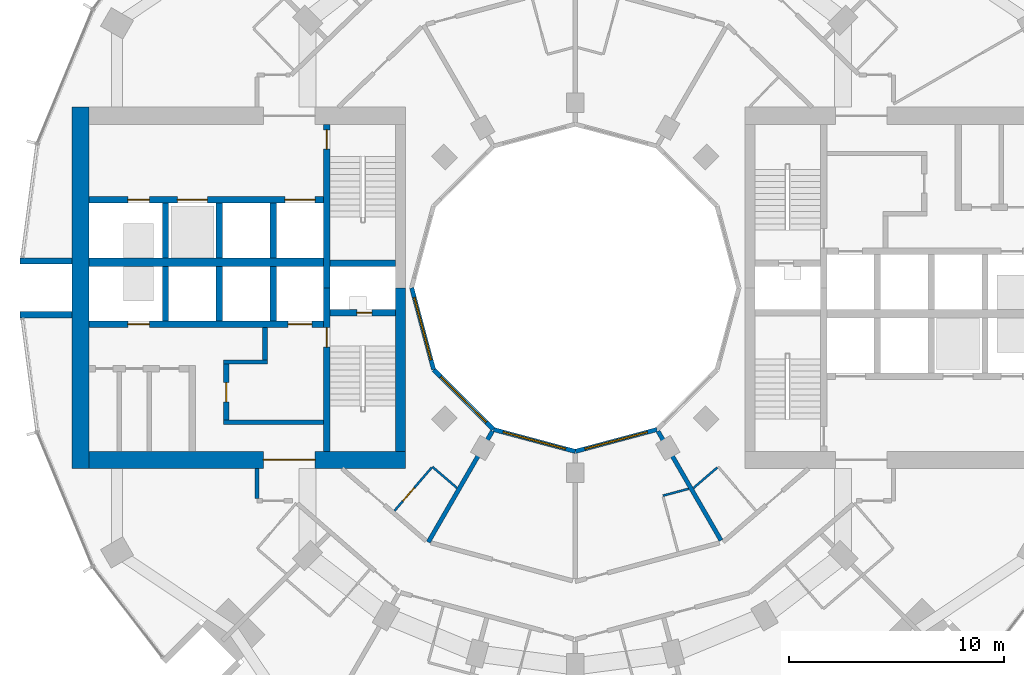
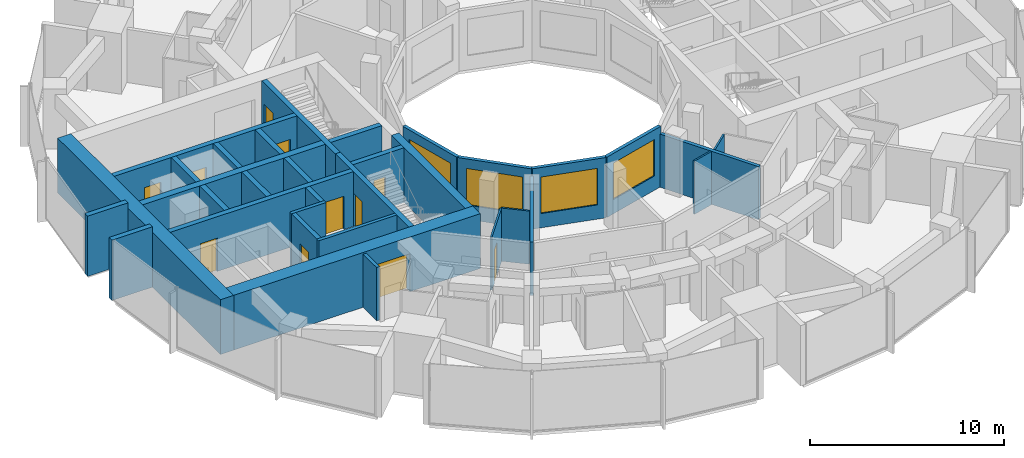
# One storey, part 9 of 15: 33 walls, 11 doors, 4 windows, 15 openings.
"""IFC4 building model written with IfcOpenShell, lengths in metres."""

from ifc_helpers import new_model, si_unit, direction, frame, frame_2d, origin, place, context, subcontext, project, spatial, rectangle, extrude, material, layer, layer_set, type_object, element, fill, save


model = new_model("IFC4")

# Units and contexts
model_context = context("Model", 3, precision=1e-05, world=origin(), true_north=direction((0.0, 1.0)))
body_context = subcontext(model_context, "Body", "Model", "MODEL_VIEW")
ifc_project = project(units=[si_unit("LENGTHUNIT", "METRE"), si_unit("AREAUNIT", "SQUARE_METRE"), si_unit("VOLUMEUNIT", "CUBIC_METRE"), si_unit("PLANEANGLEUNIT", "RADIAN"), si_unit("MASSUNIT", "GRAM", prefix="KILO")], contexts=[model_context])

# Site, building, storey
site_placement = place(None, origin())
site = spatial("IfcSite", under=ifc_project, at=site_placement, CompositionType="ELEMENT")
building_placement = place(site_placement, origin())
building = spatial("IfcBuilding", under=site, at=building_placement, Name="Torre Brocal", CompositionType="ELEMENT")
storey_placement = place(building_placement, frame((0.0, 0.0, 105.199951171875)))
storey = spatial("IfcBuildingStorey", under=building, at=storey_placement, Name="L24", CompositionType="ELEMENT", Elevation=105.199951171875)

# Walls
ifc_material_1 = material(Name="Concrete C80", Category="concrete")
ifc_layer_1 = layer(ifc_material_1, 0.199951171875)
ifc_layer_set_1 = layer_set([ifc_layer_1], Name="Concrete C80")
wall_type_1 = type_object("IfcWallType", Name="CORE WALL 200 C80 UNDER 350 SLAB", PredefinedType="SHEAR", material=ifc_layer_set_1)
wall_1_placement = place(storey_placement, frame((68.300048828125, 68.75, 0.0), z_axis=(0.0, 0.0, 1.0), x_axis=(-1.0, 0.0, 0.0)))
element("IfcWall", 1, at=wall_1_placement, inside=storey, type_object=wall_type_1, Name="Wall CW200-80-S350", PredefinedType="SHEAR", context=body_context, shape_type="SweptSolid", body=[
    extrude(rectangle(XDim=4.650146484375, YDim=0.199951171875, at=frame_2d((2.3251953125, 0.0))), origin(), (0.0, 0.0, 1.0), 3.449951171875),
])
wall_2_placement = place(storey_placement, frame((65.699951171875, 71.550048828125, 0.0), z_axis=(0.0, 0.0, 1.0), x_axis=(-1.0, 0.0, 0.0)))
element("IfcWall", 2, at=wall_2_placement, inside=storey, type_object=wall_type_1, Name="Wall CW200-80-S350", PredefinedType="SHEAR", context=body_context, shape_type="SweptSolid", body=[
    extrude(rectangle(XDim=2.050048828125, YDim=0.199951171875, at=frame_2d((1.02490234375, 0.0))), origin(), (0.0, 0.0, 1.0), 3.449951171875),
])

# Wall, opening, door
ifc_material_2 = material(Name="Concrete C80", Category="concrete")
ifc_layer_2 = layer(ifc_material_2, 0.25)
ifc_layer_set_2 = layer_set([ifc_layer_2], Name="Concrete C80")
wall_type_2 = type_object("IfcWallType", Name="CORE WALL 250 C80 UNDER 350 SLAB", PredefinedType="SHEAR", material=ifc_layer_set_2)
wall_3_placement = place(storey_placement, frame((63.77490234375, 71.449951171875, 0.0), z_axis=(0.0, 0.0, 1.0), x_axis=(0.0, -1.0, 0.0)))
wall_3 = element("IfcWall", 3, at=wall_3_placement, inside=storey, type_object=wall_type_2, Name="Wall CW250-80-S350", PredefinedType="SHEAR", context=body_context, shape_type="SweptSolid", body=[
    extrude(rectangle(XDim=2.599853515625, YDim=0.25, at=frame_2d((1.2998046875, 0.0))), origin(), (0.0, 0.0, 1.0), 3.449951171875),
])
opening_1_placement = place(wall_3_placement, frame((0.85009765625, 0.0, 0.0)))
opening_1 = element("IfcOpeningElement", 4, at=opening_1_placement, cuts=wall_3, Name="Opening W-D15", PredefinedType="OPENING", context=body_context, shape_type="SweptSolid", body=[
    extrude(rectangle(XDim=0.89990234375, YDim=2.10009765625, at=frame_2d((0.449951171875, 1.050048828125))), frame((0.0, 0.135009765625, 0.0), z_axis=(0.0, -1.0, 0.0), x_axis=(1.0, 0.0, 0.0)), (0.0, 0.0, 1.0), 0.27001953125),
])
ifc_material_3 = material(Name="Steel A653", Category="steel")
door_type_1 = type_object("IfcDoorType", Name="LOBBY DOOR FD120 900X2100", OperationType="SINGLE_SWING_RIGHT", PredefinedType="DOOR", material=ifc_material_3)
door_1_placement = place(opening_1_placement, origin())
door_1 = element("IfcDoor", 5, at=door_1_placement, inside=storey, type_object=door_type_1, Name="Door W-D15", OperationType="SINGLE_SWING_LEFT", OverallHeight=2.10009765625, OverallWidth=0.89990234375, PredefinedType="DOOR", context=body_context, shape_type="SweptSolid", body=[
    extrude(rectangle(XDim=0.89990234375, YDim=2.10009765625, at=frame_2d((0.449951171875, 1.050048828125))), frame((0.0, 0.02490234375, 0.0), z_axis=(0.0, -1.0, 0.0), x_axis=(1.0, 0.0, 0.0)), (0.0, 0.0, 1.0), 0.050048828125),
])
fill(opening_1, door_1)

# Wall
wall_4_placement = place(storey_placement, frame((65.574951171875, 73.14990234375, 0.0), z_axis=(0.0, 0.0, 1.0), x_axis=(0.0, -1.0, 0.0)))
element("IfcWall", 6, at=wall_4_placement, inside=storey, type_object=wall_type_2, Name="Wall CW250-80-S350", PredefinedType="SHEAR", context=body_context, shape_type="SweptSolid", body=[
    extrude(rectangle(XDim=1.5, YDim=0.25, at=frame_2d((0.75, 0.0))), origin(), (0.0, 0.0, 1.0), 3.449951171875),
])

# Wall, opening, door
ifc_material_4 = material(Name="Concrete C80", Category="concrete")
ifc_layer_3 = layer(ifc_material_4, 0.300048828125)
ifc_layer_set_3 = layer_set([ifc_layer_3], Name="Concrete C80")
wall_type_3 = type_object("IfcWallType", Name="CORE WALL 300 C80 UNDER 350 SLAB", PredefinedType="SHEAR", material=ifc_layer_set_3)
wall_5_placement = place(storey_placement, frame((68.449951171875, 75.0, 0.0), z_axis=(0.0, 0.0, 1.0), x_axis=(0.0, -1.0, 0.0)))
wall_5 = element("IfcWall", 7, at=wall_5_placement, inside=storey, type_object=wall_type_3, Name="Wall CW300-80-S350", PredefinedType="SHEAR", context=body_context, shape_type="SweptSolid", body=[
    extrude(rectangle(XDim=7.60009765625, YDim=0.300048828125, at=frame_2d((3.800048828125, 0.0))), origin(), (0.0, 0.0, 1.0), 3.449951171875),
])
opening_2_placement = place(wall_5_placement, frame((1.85009765625, 0.0, 0.0)))
opening_2 = element("IfcOpeningElement", 8, at=opening_2_placement, cuts=wall_5, Name="Opening W-D02", PredefinedType="OPENING", context=body_context, shape_type="SweptSolid", body=[
    extrude(rectangle(XDim=0.89990234375, YDim=2.10009765625, at=frame_2d((0.449951171875, 1.050048828125))), frame((0.0, 0.159912109375, 0.0), z_axis=(0.0, -1.0, 0.0), x_axis=(1.0, 0.0, 0.0)), (0.0, 0.0, 1.0), 0.320068359375),
])
ifc_material_5 = material(Name="Steel A653", Category="steel")
door_type_2 = type_object("IfcDoorType", Name="STAIR DOOR FD120 900X2100", OperationType="SINGLE_SWING_RIGHT", PredefinedType="DOOR", material=ifc_material_5)
door_2_placement = place(opening_2_placement, origin())
door_2 = element("IfcDoor", 9, at=door_2_placement, inside=storey, type_object=door_type_2, Name="Door W-D02", OperationType="SINGLE_SWING_LEFT", OverallHeight=2.10009765625, OverallWidth=0.89990234375, PredefinedType="DOOR", context=body_context, shape_type="SweptSolid", body=[
    extrude(rectangle(XDim=0.89990234375, YDim=2.10009765625, at=frame_2d((0.449951171875, 1.050048828125))), frame((0.0, 0.02490234375, 0.0), z_axis=(0.0, -1.0, 0.0), x_axis=(1.0, 0.0, 0.0)), (0.0, 0.0, 1.0), 0.050048828125),
])
fill(opening_2, door_2)

wall_6_placement = place(storey_placement, frame((68.449951171875, 82.60009765625, 0.0), z_axis=(0.0, 0.0, 1.0), x_axis=(0.0, -1.0, 0.0)))
wall_6 = element("IfcWall", 10, at=wall_6_placement, inside=storey, type_object=wall_type_3, Name="Wall CW300-80-S350", PredefinedType="SHEAR", context=body_context, shape_type="SweptSolid", body=[
    extrude(rectangle(XDim=7.60009765625, YDim=0.300048828125, at=frame_2d((3.800048828125, 0.0))), origin(), (0.0, 0.0, 1.0), 3.449951171875),
])
opening_3_placement = place(wall_6_placement, frame((0.25, 0.0, 0.0)))
opening_3 = element("IfcOpeningElement", 11, at=opening_3_placement, cuts=wall_6, Name="Opening W-D03", PredefinedType="OPENING", context=body_context, shape_type="SweptSolid", body=[
    extrude(rectangle(XDim=0.89990234375, YDim=2.10009765625, at=frame_2d((0.449951171875, 1.050048828125))), frame((0.0, 0.159912109375, 0.0), z_axis=(0.0, -1.0, 0.0), x_axis=(1.0, 0.0, 0.0)), (0.0, 0.0, 1.0), 0.320068359375),
])
door_3_placement = place(opening_3_placement, origin())
door_3 = element("IfcDoor", 12, at=door_3_placement, inside=storey, type_object=door_type_2, Name="Door W-D03", OperationType="SINGLE_SWING_LEFT", OverallHeight=2.10009765625, OverallWidth=0.89990234375, PredefinedType="DOOR", context=body_context, shape_type="SweptSolid", body=[
    extrude(rectangle(XDim=0.89990234375, YDim=2.10009765625, at=frame_2d((0.449951171875, 1.050048828125))), frame((0.0, 0.02490234375, 0.0), z_axis=(0.0, -1.0, 0.0), x_axis=(1.0, 0.0, 0.0)), (0.0, 0.0, 1.0), 0.050048828125),
])
fill(opening_3, door_3)

wall_7_placement = place(storey_placement, frame((71.64990234375, 73.85009765625, 0.0), z_axis=(0.0, 0.0, 1.0), x_axis=(-1.0, 0.0, 0.0)))
wall_7 = element("IfcWall", 13, at=wall_7_placement, inside=storey, type_object=wall_type_3, Name="Wall CW300-80-S350", PredefinedType="SHEAR", context=body_context, shape_type="SweptSolid", body=[
    extrude(rectangle(XDim=3.0498046875, YDim=0.300048828125, at=frame_2d((1.52490234375, 0.0))), origin(), (0.0, 0.0, 1.0), 3.449951171875),
])
opening_4_placement = place(wall_7_placement, frame((1.10009765625, 0.0, 0.0)))
opening_4 = element("IfcOpeningElement", 14, at=opening_4_placement, cuts=wall_7, Name="Opening W-D01", PredefinedType="OPENING", context=body_context, shape_type="SweptSolid", body=[
    extrude(rectangle(XDim=0.699951171875, YDim=2.0, at=frame_2d((0.35009765625, 1.0))), frame((0.0, 0.159912109375, 0.0), z_axis=(0.0, -1.0, 0.0), x_axis=(1.0, 0.0, 0.0)), (0.0, 0.0, 1.0), 0.320068359375),
])
ifc_material_6 = material(Name="Steel A653", Category="steel")
door_type_3 = type_object("IfcDoorType", Name="RISER DOOR FD120 700X2000", OperationType="SINGLE_SWING_LEFT", PredefinedType="DOOR", material=ifc_material_6)
door_4_placement = place(opening_4_placement, frame((0.699951171875, 0.0, 0.0), z_axis=(0.0, 0.0, 1.0), x_axis=(-1.0, 0.0, 0.0)))
door_4 = element("IfcDoor", 15, at=door_4_placement, inside=storey, type_object=door_type_3, Name="Door W-D01", OperationType="SINGLE_SWING_RIGHT", OverallHeight=2.0, OverallWidth=0.699951171875, PredefinedType="DOOR", context=body_context, shape_type="SweptSolid", body=[
    extrude(rectangle(XDim=0.699951171875, YDim=2.0, at=frame_2d((0.35009765625, 1.0))), frame((0.0, 0.02490234375, 0.0), z_axis=(0.0, -1.0, 0.0), x_axis=(1.0, 0.0, 0.0)), (0.0, 0.0, 1.0), 0.050048828125),
])
fill(opening_4, door_4)

# Wall
wall_8_placement = place(storey_placement, frame((71.64990234375, 76.14990234375, 0.0), z_axis=(0.0, 0.0, 1.0), x_axis=(-1.0, 0.0, 0.0)))
element("IfcWall", 16, at=wall_8_placement, inside=storey, type_object=wall_type_3, Name="Wall CW300-80-S350", PredefinedType="SHEAR", context=body_context, shape_type="SweptSolid", body=[
    extrude(rectangle(XDim=3.0498046875, YDim=0.300048828125, at=frame_2d((1.52490234375, 0.0))), origin(), (0.0, 0.0, 1.0), 3.449951171875),
])

# Wall, openings, doors
wall_9_placement = place(storey_placement, frame((68.300048828125, 73.300048828125, 0.0), z_axis=(0.0, 0.0, 1.0), x_axis=(-1.0, 0.0, 0.0)))
wall_9 = element("IfcWall", 17, at=wall_9_placement, inside=storey, type_object=wall_type_3, Name="Wall CW300-80-S350", PredefinedType="SHEAR", context=body_context, shape_type="SweptSolid", body=[
    extrude(rectangle(XDim=10.900146484375, YDim=0.300048828125, at=frame_2d((5.4501953125, 0.0))), origin(), (0.0, 0.0, 1.0), 3.449951171875),
])
opening_5_placement = place(wall_9_placement, frame((0.550048828125, 0.0, 0.0)))
opening_5 = element("IfcOpeningElement", 18, at=opening_5_placement, cuts=wall_9, Name="Opening LD", PredefinedType="OPENING", context=body_context, shape_type="SweptSolid", body=[
    extrude(rectangle(XDim=1.10009765625, YDim=2.10009765625, at=frame_2d((0.550048828125, 1.050048828125))), frame((0.0, 0.159912109375, 0.0), z_axis=(0.0, -1.0, 0.0), x_axis=(1.0, 0.0, 0.0)), (0.0, 0.0, 1.0), 0.320068359375),
])
opening_6_placement = place(wall_9_placement, frame((8.10009765625, 0.0, 0.0)))
opening_6 = element("IfcOpeningElement", 19, at=opening_6_placement, cuts=wall_9, Name="Opening LD10", PredefinedType="OPENING", context=body_context, shape_type="SweptSolid", body=[
    extrude(rectangle(XDim=1.0, YDim=2.10009765625, at=frame_2d((0.5, 1.050048828125))), frame((0.0, 0.159912109375, 0.0), z_axis=(0.0, -1.0, 0.0), x_axis=(1.0, 0.0, 0.0)), (0.0, 0.0, 1.0), 0.320068359375),
])
ifc_material_7 = material(Name="Stainless steel AISI 316", Category="steel")
door_type_4 = type_object("IfcDoorType", Name="LIFT LANDING DOOR 1000X2100", OperationType="DOUBLE_DOOR_SLIDING", PredefinedType="DOOR", material=ifc_material_7)
door_5_placement = place(opening_6_placement, origin())
door_5 = element("IfcDoor", 20, at=door_5_placement, inside=storey, type_object=door_type_4, Name="Door LD10", OperationType="DOUBLE_DOOR_SLIDING", OverallHeight=2.10009765625, OverallWidth=1.0, PredefinedType="DOOR", context=body_context, shape_type="SweptSolid", body=[
    extrude(rectangle(XDim=1.0, YDim=2.10009765625, at=frame_2d((0.5, 1.050048828125))), frame((0.0, 0.02490234375, 0.0), z_axis=(0.0, -1.0, 0.0), x_axis=(1.0, 0.0, 0.0)), (0.0, 0.0, 1.0), 0.050048828125),
])
fill(opening_6, door_5)
ifc_material_8 = material(Name="Stainless steel AISI 316", Category="steel")
door_type_5 = type_object("IfcDoorType", Name="LIFT LANDING DOOR 1100X2100", OperationType="DOUBLE_DOOR_SLIDING", PredefinedType="DOOR", material=ifc_material_8)
door_6_placement = place(opening_5_placement, origin())
door_6 = element("IfcDoor", 21, at=door_6_placement, inside=storey, type_object=door_type_5, Name="Door LD", OperationType="DOUBLE_DOOR_SLIDING", OverallHeight=2.10009765625, OverallWidth=1.10009765625, PredefinedType="DOOR", context=body_context, shape_type="SweptSolid", body=[
    extrude(rectangle(XDim=1.10009765625, YDim=2.10009765625, at=frame_2d((0.550048828125, 1.050048828125))), frame((0.0, 0.02490234375, 0.0), z_axis=(0.0, -1.0, 0.0), x_axis=(1.0, 0.0, 0.0)), (0.0, 0.0, 1.0), 0.050048828125),
])
fill(opening_5, door_6)

wall_10_placement = place(storey_placement, frame((68.300048828125, 79.10009765625, 0.0), z_axis=(0.0, 0.0, 1.0), x_axis=(-1.0, 0.0, 0.0)))
wall_10 = element("IfcWall", 22, at=wall_10_placement, inside=storey, type_object=wall_type_3, Name="Wall CW300-80-S350", PredefinedType="SHEAR", context=body_context, shape_type="SweptSolid", body=[
    extrude(rectangle(XDim=10.900146484375, YDim=0.300048828125, at=frame_2d((5.4501953125, 0.0))), origin(), (0.0, 0.0, 1.0), 3.449951171875),
])
opening_7_placement = place(wall_10_placement, frame((0.39990234375, 0.0, 0.0)))
opening_7 = element("IfcOpeningElement", 23, at=opening_7_placement, cuts=wall_10, Name="Opening LD14", PredefinedType="OPENING", context=body_context, shape_type="SweptSolid", body=[
    extrude(rectangle(XDim=1.39990234375, YDim=2.10009765625, at=frame_2d((0.699951171875, 1.050048828125))), frame((0.0, 0.159912109375, 0.0), z_axis=(0.0, -1.0, 0.0), x_axis=(1.0, 0.0, 0.0)), (0.0, 0.0, 1.0), 0.320068359375),
])
opening_8_placement = place(wall_10_placement, frame((5.39990234375, 0.0, 0.0)))
opening_8 = element("IfcOpeningElement", 24, at=opening_8_placement, cuts=wall_10, Name="Opening LD14", PredefinedType="OPENING", context=body_context, shape_type="SweptSolid", body=[
    extrude(rectangle(XDim=1.39990234375, YDim=2.10009765625, at=frame_2d((0.699951171875, 1.050048828125))), frame((0.0, 0.159912109375, 0.0), z_axis=(0.0, -1.0, 0.0), x_axis=(1.0, 0.0, 0.0)), (0.0, 0.0, 1.0), 0.320068359375),
])
opening_9_placement = place(wall_10_placement, frame((8.10009765625, 0.0, 0.0)))
opening_9 = element("IfcOpeningElement", 25, at=opening_9_placement, cuts=wall_10, Name="Opening LD10", PredefinedType="OPENING", context=body_context, shape_type="SweptSolid", body=[
    extrude(rectangle(XDim=1.0, YDim=2.10009765625, at=frame_2d((0.5, 1.050048828125))), frame((0.0, 0.159912109375, 0.0), z_axis=(0.0, -1.0, 0.0), x_axis=(1.0, 0.0, 0.0)), (0.0, 0.0, 1.0), 0.320068359375),
])
door_7_placement = place(opening_9_placement, origin())
door_7 = element("IfcDoor", 26, at=door_7_placement, inside=storey, type_object=door_type_4, Name="Door LD10", OperationType="DOUBLE_DOOR_SLIDING", OverallHeight=2.10009765625, OverallWidth=1.0, PredefinedType="DOOR", context=body_context, shape_type="SweptSolid", body=[
    extrude(rectangle(XDim=1.0, YDim=2.10009765625, at=frame_2d((0.5, 1.050048828125))), frame((0.0, 0.02490234375, 0.0), z_axis=(0.0, -1.0, 0.0), x_axis=(1.0, 0.0, 0.0)), (0.0, 0.0, 1.0), 0.050048828125),
])
fill(opening_9, door_7)
ifc_material_9 = material(Name="Stainless steel AISI 316", Category="steel")
door_type_6 = type_object("IfcDoorType", Name="LIFT LANDING DOOR 1400X2100", OperationType="DOUBLE_DOOR_SLIDING", PredefinedType="DOOR", material=ifc_material_9)
door_8_placement = place(opening_7_placement, origin())
door_8 = element("IfcDoor", 27, at=door_8_placement, inside=storey, type_object=door_type_6, Name="Door LD14", OperationType="DOUBLE_DOOR_SLIDING", OverallHeight=2.10009765625, OverallWidth=1.39990234375, PredefinedType="DOOR", context=body_context, shape_type="SweptSolid", body=[
    extrude(rectangle(XDim=1.39990234375, YDim=2.10009765625, at=frame_2d((0.699951171875, 1.050048828125))), frame((0.0, 0.02490234375, 0.0), z_axis=(0.0, -1.0, 0.0), x_axis=(1.0, 0.0, 0.0)), (0.0, 0.0, 1.0), 0.050048828125),
])
fill(opening_7, door_8)
door_9_placement = place(opening_8_placement, origin())
door_9 = element("IfcDoor", 28, at=door_9_placement, inside=storey, type_object=door_type_6, Name="Door LD14", OperationType="DOUBLE_DOOR_SLIDING", OverallHeight=2.10009765625, OverallWidth=1.39990234375, PredefinedType="DOOR", context=body_context, shape_type="SweptSolid", body=[
    extrude(rectangle(XDim=1.39990234375, YDim=2.10009765625, at=frame_2d((0.699951171875, 1.050048828125))), frame((0.0, 0.02490234375, 0.0), z_axis=(0.0, -1.0, 0.0), x_axis=(1.0, 0.0, 0.0)), (0.0, 0.0, 1.0), 0.050048828125),
])
fill(opening_8, door_9)

# Walls
for number, where, z_axis, x_axis, name in (
    (29, (65.949951171875, 76.0, 0.0), (0.0, 0.0, 1.0), (0.0, -1.0, 0.0), "Wall CW300-80-S350"),
    (30, (63.449951171875, 76.0, 0.0), (0.0, 0.0, 1.0), (0.0, -1.0, 0.0), "Wall CW300-80-S350"),
    (31, (60.949951171875, 76.0, 0.0), (0.0, 0.0, 1.0), (0.0, -1.0, 0.0), "Wall CW300-80-S350"),
    (32, (65.949951171875, 78.949951171875, 0.0), (0.0, 0.0, 1.0), (0.0, -1.0, 0.0), "Wall CW300-80-S350"),
    (33, (63.449951171875, 78.949951171875, 0.0), (0.0, 0.0, 1.0), (0.0, -1.0, 0.0), "Wall CW300-80-S350"),
    (34, (60.949951171875, 78.949951171875, 0.0), (0.0, 0.0, 1.0), (0.0, -1.0, 0.0), "Wall CW300-80-S350"),
):
    element("IfcWall", number, at=place(storey_placement, frame(where, z_axis=z_axis, x_axis=x_axis)), inside=storey, type_object=wall_type_3, Name=name, PredefinedType="SHEAR", context=body_context, shape_type="SweptSolid", body=[
        extrude(rectangle(XDim=2.550048828125, YDim=0.300048828125, at=frame_2d((1.27490234375, 0.0))), origin(), (0.0, 0.0, 1.0), 3.449951171875),
    ])
ifc_material_10 = material(Name="Concrete C80", Category="concrete")
ifc_layer_4 = layer(ifc_material_10, 0.39990234375)
ifc_layer_set_4 = layer_set([ifc_layer_4], Name="Concrete C80")
wall_type_4 = type_object("IfcWallType", Name="CORE WALL 400 C80 UNDER 350 SLAB", PredefinedType="SHEAR", material=ifc_layer_set_4)
wall_11_placement = place(storey_placement, frame((68.300048828125, 76.199951171875, 0.0), z_axis=(0.0, 0.0, 1.0), x_axis=(-1.0, 0.0, 0.0)))
element("IfcWall", 35, at=wall_11_placement, inside=storey, type_object=wall_type_4, Name="Wall CW400-80-S350", PredefinedType="SHEAR", context=body_context, shape_type="SweptSolid", body=[
    extrude(rectangle(XDim=10.900146484375, YDim=0.39990234375, at=frame_2d((5.4501953125, 0.0))), origin(), (0.0, 0.0, 1.0), 3.449951171875),
])
ifc_material_11 = material(Name="Concrete C80", Category="concrete")
ifc_layer_5 = layer(ifc_material_11, 0.449951171875)
ifc_layer_set_5 = layer_set([ifc_layer_5], Name="Concrete C80")
wall_type_5 = type_object("IfcWallType", Name="CORE WALL 450 C80 UNDER 350 SLAB", PredefinedType="SHEAR", material=ifc_layer_set_5)
wall_12_placement = place(storey_placement, frame((71.875, 75.0, 0.0), z_axis=(0.0, 0.0, 1.0), x_axis=(0.0, -1.0, 0.0)))
element("IfcWall", 36, at=wall_12_placement, inside=storey, type_object=wall_type_5, Name="Wall CW450-80-S350", PredefinedType="SHEAR", context=body_context, shape_type="SweptSolid", body=[
    extrude(rectangle(XDim=7.60009765625, YDim=0.449951171875, at=frame_2d((3.800048828125, 0.0))), origin(), (0.0, 0.0, 1.0), 3.449951171875),
])

# Wall, opening, door
ifc_material_12 = material(Name="Concrete C80", Category="concrete")
ifc_layer_6 = layer(ifc_material_12, 0.800048828125)
ifc_layer_set_6 = layer_set([ifc_layer_6], Name="Concrete C80")
wall_type_6 = type_object("IfcWallType", Name="CORE WALL 800 C80 UNDER 350 SLAB", PredefinedType="SHEAR", material=ifc_layer_set_6)
wall_13_placement = place(storey_placement, frame((72.10009765625, 67.0, 0.0), z_axis=(0.0, 0.0, 1.0), x_axis=(-1.0, 0.0, 0.0)))
wall_13 = element("IfcWall", 37, at=wall_13_placement, inside=storey, type_object=wall_type_6, Name="Wall CW800-80-S350", PredefinedType="SHEAR", context=body_context, shape_type="SweptSolid", body=[
    extrude(rectangle(XDim=14.7001953125, YDim=0.800048828125, at=frame_2d((7.35009765625, 0.0))), origin(), (0.0, 0.0, 1.0), 3.449951171875),
])
opening_10_placement = place(wall_13_placement, frame((4.199951171875, 0.0, 0.0)))
opening_10 = element("IfcOpeningElement", 38, at=opening_10_placement, cuts=wall_13, Name="Opening W-D27", PredefinedType="OPENING", context=body_context, shape_type="SweptSolid", body=[
    extrude(rectangle(XDim=2.39990234375, YDim=2.39990234375, at=frame_2d((1.199951171875, 1.199951171875))), frame((0.0, 0.409912109375, 0.0), z_axis=(0.0, -1.0, 0.0), x_axis=(1.0, 0.0, 0.0)), (0.0, 0.0, 1.0), 0.820068359375),
])
ifc_material_13 = material(Name="Steel A653", Category="steel")
door_type_7 = type_object("IfcDoorType", Name="DOUBLE FIRE DOOR FD90 2400X2400", OperationType="DOUBLE_DOOR_SINGLE_SWING", PredefinedType="DOOR", material=ifc_material_13)
door_10_placement = place(opening_10_placement, frame((2.39990234375, 0.0, 0.0), z_axis=(0.0, 0.0, 1.0), x_axis=(-1.0, 0.0, 0.0)))
door_10 = element("IfcDoor", 39, at=door_10_placement, inside=storey, type_object=door_type_7, Name="Door W-D27", OperationType="DOUBLE_DOOR_SINGLE_SWING", OverallHeight=2.39990234375, OverallWidth=2.39990234375, PredefinedType="DOOR", context=body_context, shape_type="SweptSolid", body=[
    extrude(rectangle(XDim=2.39990234375, YDim=2.39990234375, at=frame_2d((1.199951171875, 1.199951171875))), frame((0.0, 0.02490234375, 0.0), z_axis=(0.0, -1.0, 0.0), x_axis=(1.0, 0.0, 0.0)), (0.0, 0.0, 1.0), 0.050048828125),
])
fill(opening_10, door_10)

# Walls
wall_14_placement = place(storey_placement, frame((57.0, 83.39990234375, 0.0), z_axis=(0.0, 0.0, 1.0), x_axis=(0.0, -1.0, 0.0)))
element("IfcWall", 40, at=wall_14_placement, inside=storey, type_object=wall_type_6, Name="Wall CW800-80-S350", PredefinedType="SHEAR", context=body_context, shape_type="SweptSolid", body=[
    extrude(rectangle(XDim=16.7998046875, YDim=0.800048828125, at=frame_2d((8.39990234375, 0.0))), origin(), (0.0, 0.0, 1.0), 3.449951171875),
])
ifc_material_14 = material(Name="Concrete C80", Category="concrete")
ifc_layer_7 = layer(ifc_material_14, 0.300048828125)
ifc_layer_set_7 = layer_set([ifc_layer_7], Name="Concrete C80")
wall_type_7 = type_object("IfcWallType", Name="NOTCH RETURN WALL 300 C80", PredefinedType="NOTDEFINED", material=ifc_layer_set_7)
for number, where, z_axis, x_axis, name in (
    (41, (56.60009765625, 76.25, 0.0), (0.0, 0.0, 1.0), (-1.0, 0.0, 0.0), "NOTCH RETURN WALL"),
    (42, (56.60009765625, 73.75, 0.0), (0.0, 0.0, 1.0), (-1.0, 0.0, 0.0), "NOTCH RETURN WALL"),
):
    element("IfcWall", number, at=place(storey_placement, frame(where, z_axis=z_axis, x_axis=x_axis)), inside=storey, type_object=wall_type_7, Name=name, PredefinedType="NOTDEFINED", context=body_context, shape_type="SweptSolid", body=[
        extrude(rectangle(XDim=2.415771484375, YDim=0.300048828125, at=frame_2d((1.2080078125, 0.0))), origin(), (0.0, 0.0, 1.0), 3.800048828125),
    ])

# Wall, opening, door
ifc_material_15 = material(Name="Gypsum board", Category="Gypsum")
ifc_layer_8 = layer(ifc_material_15, 0.10009765625)
ifc_layer_set_8 = layer_set([ifc_layer_8], Name="Gypsum board")
wall_type_8 = type_object("IfcWallType", Name="PARTITION 100", PredefinedType="PARTITIONING", material=ifc_layer_set_8)
wall_15_placement = place(storey_placement, frame((71.59619140625, 64.634765625, 0.0), z_axis=(0.0, 0.0, 1.0), x_axis=(0.652285007511, 0.757973791748, 0.0)))
wall_15 = element("IfcWall", 43, at=wall_15_placement, inside=storey, type_object=wall_type_8, Name="BATHROOM WALL", PredefinedType="PARTITIONING", context=body_context, shape_type="SweptSolid", body=[
    extrude(rectangle(XDim=2.649658203125, YDim=0.10009765625, at=frame_2d((1.32470703125, 0.0))), origin(), (0.0, 0.0, 1.0), 3.35009765625),
])
opening_11_placement = place(wall_15_placement, frame((0.599609375, 0.0, 0.0)))
opening_11 = element("IfcOpeningElement", 44, at=opening_11_placement, cuts=wall_15, Name="Opening H07-D44", PredefinedType="OPENING", context=body_context, shape_type="SweptSolid", body=[
    extrude(rectangle(XDim=0.800048828125, YDim=2.10009765625, at=frame_2d((0.39990234375, 1.050048828125))), frame((0.0, 0.06005859375, 0.0), z_axis=(0.0, -1.0, 0.0), x_axis=(1.0, 0.0, 0.0)), (0.0, 0.0, 1.0), 0.1201171875),
])
ifc_material_16 = material(Name="Timber", Category="wood")
door_type_8 = type_object("IfcDoorType", Name="BATHROOM DOOR 800X2100", OperationType="SINGLE_SWING_LEFT", PredefinedType="DOOR", material=ifc_material_16)
door_11_placement = place(opening_11_placement, frame((0.800048828125, 0.0, 0.0), z_axis=(0.0, 0.0, 1.0), x_axis=(-1.0, 0.0, 0.0)))
door_11 = element("IfcDoor", 45, at=door_11_placement, inside=storey, type_object=door_type_8, Name="H07-D44", OperationType="SINGLE_SWING_RIGHT", OverallHeight=2.10009765625, OverallWidth=0.800048828125, PredefinedType="DOOR", context=body_context, shape_type="SweptSolid", body=[
    extrude(rectangle(XDim=0.800048828125, YDim=2.10009765625, at=frame_2d((0.39990234375, 1.050048828125))), frame((0.0, 0.02490234375, 0.0), z_axis=(0.0, -1.0, 0.0), x_axis=(1.0, 0.0, 0.0)), (0.0, 0.0, 1.0), 0.050048828125),
])
fill(opening_11, door_11)

# Walls
wall_16_placement = place(storey_placement, frame((73.35693359375, 66.680908203125, 0.0), z_axis=(0.0, 0.0, 1.0), x_axis=(0.758263469747, -0.651948242154, 0.0)))
element("IfcWall", 46, at=wall_16_placement, inside=storey, type_object=wall_type_8, Name="BATHROOM WALL", PredefinedType="PARTITIONING", context=body_context, shape_type="SweptSolid", body=[
    extrude(rectangle(XDim=1.510986328125, YDim=0.10009765625, at=frame_2d((0.75537109375, 0.0))), origin(), (0.0, 0.0, 1.0), 3.35009765625),
])
wall_17_placement = place(storey_placement, frame((84.073974609375, 65.3369140625, 0.0), z_axis=(0.0, 0.0, 1.0), x_axis=(0.965949810352, 0.258729518766, 0.0)))
element("IfcWall", 47, at=wall_17_placement, inside=storey, type_object=wall_type_8, Name="BATHROOM WALL", PredefinedType="PARTITIONING", context=body_context, shape_type="SweptSolid", body=[
    extrude(rectangle(XDim=1.239013671875, YDim=0.10009765625, at=frame_2d((0.61962890625, 0.0))), origin(), (0.0, 0.0, 1.0), 3.35009765625),
])
wall_18_placement = place(storey_placement, frame((85.497314453125, 65.69580078125, 0.0), z_axis=(0.0, 0.0, 1.0), x_axis=(0.75817032582, 0.652056559698, 0.0)))
element("IfcWall", 48, at=wall_18_placement, inside=storey, type_object=wall_type_8, Name="BATHROOM WALL", PredefinedType="PARTITIONING", context=body_context, shape_type="SweptSolid", body=[
    extrude(rectangle(XDim=1.4609375, YDim=0.10009765625, at=frame_2d((0.73046875, 0.0))), origin(), (0.0, 0.0, 1.0), 3.35009765625),
])
ifc_material_17 = material(Name="Gypsum board", Category="Gypsum")
ifc_layer_9 = layer(ifc_material_17, 0.199951171875)
ifc_layer_set_9 = layer_set([ifc_layer_9], Name="Gypsum board")
wall_type_9 = type_object("IfcWallType", Name="PARTITION 200 EI60", PredefinedType="PARTITIONING", material=ifc_layer_set_9)
wall_19_placement = place(storey_placement, frame((65.199951171875, 65.199951171875, 0.0), z_axis=(0.0, 0.0, 1.0), x_axis=(0.0, 1.0, 0.0)))
element("IfcWall", 49, at=wall_19_placement, inside=storey, type_object=wall_type_9, Name="GUESTROOM CORRIDOR WALL", PredefinedType="PARTITIONING", context=body_context, shape_type="SweptSolid", body=[
    extrude(rectangle(XDim=1.399169921875, YDim=0.199951171875, at=frame_2d((0.69970703125, 0.0))), origin(), (0.0, 0.0, 1.0), 3.35009765625),
])
wall_20_placement = place(storey_placement, frame((73.168701171875, 63.178466796875, 0.0), z_axis=(0.0, 0.0, 1.0), x_axis=(0.500257106344, 0.865876912472, 0.0)))
element("IfcWall", 50, at=wall_20_placement, inside=storey, type_object=wall_type_9, Name="BATHROOM WALL", PredefinedType="PARTITIONING", context=body_context, shape_type="SweptSolid", body=[
    extrude(rectangle(XDim=5.954833984375, YDim=0.199951171875, at=frame_2d((2.9775390625, 0.0))), origin(), (0.0, 0.0, 1.0), 3.35009765625),
])
wall_21_placement = place(storey_placement, frame((83.848876953125, 68.3330078125, 0.0), z_axis=(0.0, 0.0, 1.0), x_axis=(0.499901724708, -0.866082135617, 0.0)))
element("IfcWall", 51, at=wall_21_placement, inside=storey, type_object=wall_type_9, Name="BATHROOM WALL", PredefinedType="PARTITIONING", context=body_context, shape_type="SweptSolid", body=[
    extrude(rectangle(XDim=5.855224609375, YDim=0.199951171875, at=frame_2d((2.927734375, 0.0))), origin(), (0.0, 0.0, 1.0), 3.35009765625),
])

# Wall, opening, window
ifc_material_18 = material(Name="Concrete C40", Category="concrete")
ifc_layer_10 = layer(ifc_material_18, 0.199951171875)
ifc_layer_set_10 = layer_set([ifc_layer_10], Name="Concrete C40")
wall_type_10 = type_object("IfcWallType", Name="WELL FACADE WALL 200", PredefinedType="NOTDEFINED", material=ifc_layer_set_10)
wall_22_placement = place(storey_placement, frame((72.396484375, 75.0, 0.0), z_axis=(0.0, 0.0, 1.0), x_axis=(0.258789828301, -0.965933654434, 0.0)))
wall_22 = element("IfcWall", 52, at=wall_22_placement, inside=storey, type_object=wall_type_10, Name="WELL FACADE WALL", PredefinedType="NOTDEFINED", context=body_context, shape_type="SweptSolid", body=[
    extrude(rectangle(XDim=3.935791015625, YDim=0.199951171875, at=frame_2d((1.9677734375, 0.0))), origin(), (0.0, 0.0, 1.0), 3.800048828125),
])
opening_12_placement = place(wall_22_placement, frame((0.468017578125, 0.0, 0.89990234375)))
opening_12 = element("IfcOpeningElement", 53, at=opening_12_placement, cuts=wall_22, Name="Opening W1", PredefinedType="OPENING", context=body_context, shape_type="SweptSolid", body=[
    extrude(rectangle(XDim=3.0, YDim=2.300048828125, at=frame_2d((1.5, 1.14990234375))), frame((0.0, 0.10986328125, 0.0), z_axis=(0.0, -1.0, 0.0), x_axis=(1.0, 0.0, 0.0)), (0.0, 0.0, 1.0), 0.219970703125),
])
ifc_material_19 = material(Name="Aluminium and glass", Category="aluminium")
window_type = type_object("IfcWindowType", Name="WELL WINDOW 3000X2300", PartitioningType="SINGLE_PANEL", PredefinedType="WINDOW", material=ifc_material_19)
window_1_placement = place(opening_12_placement, origin())
window_1 = element("IfcWindow", 54, at=window_1_placement, inside=storey, type_object=window_type, Name="WELL WINDOW 3000X2300", OverallHeight=2.300048828125, OverallWidth=3.0, PartitioningType="SINGLE_PANEL", PredefinedType="WINDOW", context=body_context, shape_type="SweptSolid", body=[
    extrude(rectangle(XDim=3.0, YDim=2.300048828125, at=frame_2d((1.5, 1.14990234375))), frame((0.0, 0.030029296875, 0.0), z_axis=(0.0, -1.0, 0.0), x_axis=(1.0, 0.0, 0.0)), (0.0, 0.0, 1.0), 0.06005859375),
])
fill(opening_12, window_1)

wall_23_placement = place(storey_placement, frame((73.4150390625, 71.1982421875, 0.0), z_axis=(0.0, 0.0, 1.0), x_axis=(0.707106781187, -0.707106781187, 0.0)))
wall_23 = element("IfcWall", 55, at=wall_23_placement, inside=storey, type_object=wall_type_10, Name="WELL FACADE WALL", PredefinedType="NOTDEFINED", context=body_context, shape_type="SweptSolid", body=[
    extrude(rectangle(XDim=3.93603515625, YDim=0.199951171875, at=frame_2d((1.968017578125, 0.0))), origin(), (0.0, 0.0, 1.0), 3.800048828125),
])
opening_13_placement = place(wall_23_placement, frame((0.468017578125, 0.0, 0.89990234375)))
opening_13 = element("IfcOpeningElement", 56, at=opening_13_placement, cuts=wall_23, Name="Opening W1", PredefinedType="OPENING", context=body_context, shape_type="SweptSolid", body=[
    extrude(rectangle(XDim=3.0, YDim=2.300048828125, at=frame_2d((1.5, 1.14990234375))), frame((0.0, 0.10986328125, 0.0), z_axis=(0.0, -1.0, 0.0), x_axis=(1.0, 0.0, 0.0)), (0.0, 0.0, 1.0), 0.219970703125),
])
window_2_placement = place(opening_13_placement, origin())
window_2 = element("IfcWindow", 57, at=window_2_placement, inside=storey, type_object=window_type, Name="WELL WINDOW 3000X2300", OverallHeight=2.300048828125, OverallWidth=3.0, PartitioningType="SINGLE_PANEL", PredefinedType="WINDOW", context=body_context, shape_type="SweptSolid", body=[
    extrude(rectangle(XDim=3.0, YDim=2.300048828125, at=frame_2d((1.5, 1.14990234375))), frame((0.0, 0.030029296875, 0.0), z_axis=(0.0, -1.0, 0.0), x_axis=(1.0, 0.0, 0.0)), (0.0, 0.0, 1.0), 0.06005859375),
])
fill(opening_13, window_2)

wall_24_placement = place(storey_placement, frame((76.1982421875, 68.4150390625, 0.0), z_axis=(0.0, 0.0, 1.0), x_axis=(0.965933654434, -0.258789828301, 0.0)))
wall_24 = element("IfcWall", 58, at=wall_24_placement, inside=storey, type_object=wall_type_10, Name="WELL FACADE WALL", PredefinedType="NOTDEFINED", context=body_context, shape_type="SweptSolid", body=[
    extrude(rectangle(XDim=3.935791015625, YDim=0.199951171875, at=frame_2d((1.9677734375, 0.0))), origin(), (0.0, 0.0, 1.0), 3.800048828125),
])
opening_14_placement = place(wall_24_placement, frame((0.468017578125, 0.0, 0.89990234375)))
opening_14 = element("IfcOpeningElement", 59, at=opening_14_placement, cuts=wall_24, Name="Opening W1", PredefinedType="OPENING", context=body_context, shape_type="SweptSolid", body=[
    extrude(rectangle(XDim=3.0, YDim=2.300048828125, at=frame_2d((1.5, 1.14990234375))), frame((0.0, 0.10986328125, 0.0), z_axis=(0.0, -1.0, 0.0), x_axis=(1.0, 0.0, 0.0)), (0.0, 0.0, 1.0), 0.219970703125),
])
window_3_placement = place(opening_14_placement, origin())
window_3 = element("IfcWindow", 60, at=window_3_placement, inside=storey, type_object=window_type, Name="WELL WINDOW 3000X2300", OverallHeight=2.300048828125, OverallWidth=3.0, PartitioningType="SINGLE_PANEL", PredefinedType="WINDOW", context=body_context, shape_type="SweptSolid", body=[
    extrude(rectangle(XDim=3.0, YDim=2.300048828125, at=frame_2d((1.5, 1.14990234375))), frame((0.0, 0.030029296875, 0.0), z_axis=(0.0, -1.0, 0.0), x_axis=(1.0, 0.0, 0.0)), (0.0, 0.0, 1.0), 0.06005859375),
])
fill(opening_14, window_3)

wall_25_placement = place(storey_placement, frame((80.0, 67.396484375, 0.0), z_axis=(0.0, 0.0, 1.0), x_axis=(0.965933654434, 0.258789828301, 0.0)))
wall_25 = element("IfcWall", 61, at=wall_25_placement, inside=storey, type_object=wall_type_10, Name="WELL FACADE WALL", PredefinedType="NOTDEFINED", context=body_context, shape_type="SweptSolid", body=[
    extrude(rectangle(XDim=3.935791015625, YDim=0.199951171875, at=frame_2d((1.9677734375, 0.0))), origin(), (0.0, 0.0, 1.0), 3.800048828125),
])
opening_15_placement = place(wall_25_placement, frame((0.468017578125, 0.0, 0.89990234375)))
opening_15 = element("IfcOpeningElement", 62, at=opening_15_placement, cuts=wall_25, Name="Opening W1", PredefinedType="OPENING", context=body_context, shape_type="SweptSolid", body=[
    extrude(rectangle(XDim=3.0, YDim=2.300048828125, at=frame_2d((1.5, 1.14990234375))), frame((0.0, 0.10986328125, 0.0), z_axis=(0.0, -1.0, 0.0), x_axis=(1.0, 0.0, 0.0)), (0.0, 0.0, 1.0), 0.219970703125),
])
window_4_placement = place(opening_15_placement, origin())
window_4 = element("IfcWindow", 63, at=window_4_placement, inside=storey, type_object=window_type, Name="WELL WINDOW 3000X2300", OverallHeight=2.300048828125, OverallWidth=3.0, PartitioningType="SINGLE_PANEL", PredefinedType="WINDOW", context=body_context, shape_type="SweptSolid", body=[
    extrude(rectangle(XDim=3.0, YDim=2.300048828125, at=frame_2d((1.5, 1.14990234375))), frame((0.0, 0.030029296875, 0.0), z_axis=(0.0, -1.0, 0.0), x_axis=(1.0, 0.0, 0.0)), (0.0, 0.0, 1.0), 0.06005859375),
])
fill(opening_15, window_4)

save(model, "model.ifc")
